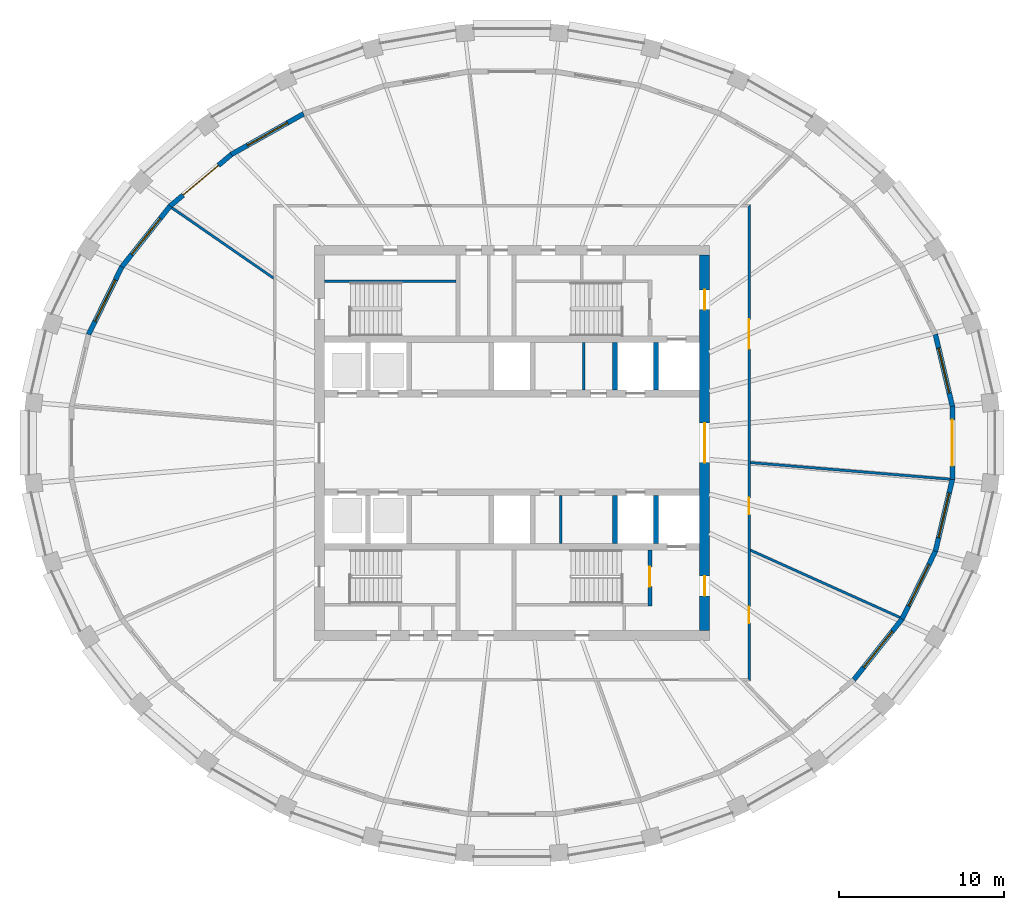
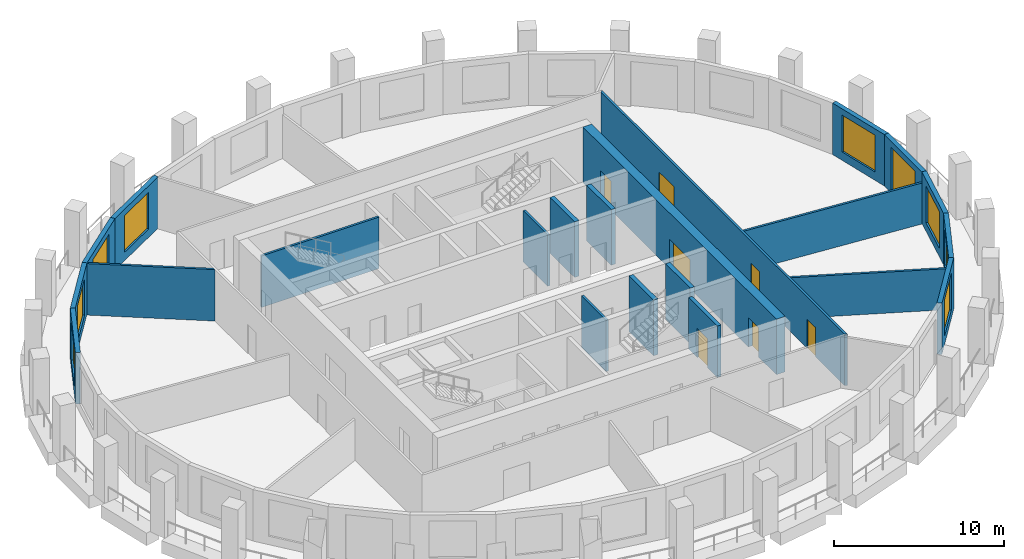
# One storey, part 5 of 10: 22 walls, 9 doors, 7 windows, 16 openings.
"""IFC4 building model written with IfcOpenShell, lengths in metres."""

from ifc_helpers import new_model, si_unit, direction, frame, frame_2d, origin, place, context, subcontext, project, spatial, polyline, rectangle, outline, extrude, material, layer, layer_set, type_object, element, fill, save


model = new_model("IFC4")

# Units and contexts
model_context = context("Model", 3, precision=1e-05, world=origin(), true_north=direction((0.0, 1.0)))
body_context = subcontext(model_context, "Body", "Model", "MODEL_VIEW")
ifc_project = project(units=[si_unit("LENGTHUNIT", "METRE"), si_unit("AREAUNIT", "SQUARE_METRE"), si_unit("VOLUMEUNIT", "CUBIC_METRE"), si_unit("PLANEANGLEUNIT", "RADIAN"), si_unit("MASSUNIT", "GRAM", prefix="KILO")], contexts=[model_context])

# Site, building, storey
site_placement = place(None, origin())
site = spatial("IfcSite", under=ifc_project, at=site_placement, CompositionType="ELEMENT")
building_placement = place(site_placement, origin())
building = spatial("IfcBuilding", under=site, at=building_placement, Name="Halqa Exchange Tower", CompositionType="ELEMENT")
storey_placement = place(building_placement, frame((0.0, 0.0, 288.300048828125)))
storey = spatial("IfcBuildingStorey", under=building, at=storey_placement, Name="L67", CompositionType="ELEMENT", Elevation=288.300048828125)

# Wall
ifc_material_1 = material(Name="Fire-rated gypsum board")
ifc_layer_1 = layer(ifc_material_1, 0.14990234375)
ifc_layer_set_1 = layer_set([ifc_layer_1], Name="Fire-rated gypsum board")
wall_type_1 = type_object("IfcWallType", Name="Fire partition EI 60 150", PredefinedType="PARTITIONING", material=ifc_layer_set_1)
wall_1_placement = place(storey_placement, frame((-14.4326171875, 9.972412109375, 0.0), z_axis=(0.0, 0.0, 1.0), x_axis=(-0.822596869136, 0.568625000231, 0.0)))
element("IfcWall", 1, at=wall_1_placement, inside=storey, type_object=wall_type_1, Name="L67-PWL-005", PredefinedType="PARTITIONING", context=body_context, shape_type="SweptSolid", body=[
    extrude(outline(polyline([(0.103271484375, -0.074951171875), (1.96533203125, -0.074951171875), (3.827392578125, -0.074951171875), (5.689208984375, -0.074951171875), (7.55126953125, -0.074951171875), (7.5712890625, -0.001708984375), (7.575927734375, 0.0693359375), (7.575927734375, 0.074951171875), (5.681884765625, 0.074951171875), (3.7880859375, 0.074951171875), (1.89404296875, 0.074951171875), (0.0, 0.074951171875), (0.0, 0.074462890625), (0.103271484375, -0.074951171875)])), origin(), (0.0, 0.0, 1.0), 3.699951171875),
])

# Wall, openings, doors
wall_2_placement = place(storey_placement, frame((14.39990234375, -14.47509765625, 0.0), z_axis=(0.0, 0.0, 1.0), x_axis=(0.0, 1.0, 0.0)))
wall_2 = element("IfcWall", 2, at=wall_2_placement, inside=storey, type_object=wall_type_1, Name="L67-PWL-012", PredefinedType="PARTITIONING", context=body_context, shape_type="SweptSolid", body=[
    extrude(outline(polyline([(0.000244140625, -0.074951171875), (1.93017578125, -0.074951171875), (3.860107421875, -0.074951171875), (5.790283203125, -0.074951171875), (7.72021484375, -0.074951171875), (9.650146484375, -0.074951171875), (11.580078125, -0.074951171875), (13.510009765625, -0.074951171875), (15.440185546875, -0.074951171875), (17.3701171875, -0.074951171875), (19.300048828125, -0.074951171875), (21.22998046875, -0.074951171875), (23.159912109375, -0.074951171875), (25.090087890625, -0.074951171875), (27.02001953125, -0.074951171875), (28.949951171875, -0.074951171875), (28.800048828125, 0.074951171875), (26.89013671875, 0.074951171875), (24.97998046875, 0.074951171875), (23.070068359375, 0.074951171875), (21.16015625, 0.074951171875), (19.25, 0.074951171875), (17.340087890625, 0.074951171875), (15.43017578125, 0.074951171875), (13.52001953125, 0.074951171875), (11.610107421875, 0.074951171875), (9.7001953125, 0.074951171875), (7.7900390625, 0.074951171875), (5.880126953125, 0.074951171875), (3.97021484375, 0.074951171875), (2.06005859375, 0.074951171875), (0.150146484375, 0.074951171875), (0.000244140625, -0.074951171875)])), origin(), (0.0, 0.0, 1.0), 3.699951171875),
])
opening_1_placement = place(wall_2_placement, frame((3.534912109375, 0.0, 0.0)))
opening_1 = element("IfcOpeningElement", 3, at=opening_1_placement, cuts=wall_2, Name="Opening 20-01", PredefinedType="OPENING", context=body_context, shape_type="SweptSolid", body=[
    extrude(rectangle(XDim=1.0, YDim=2.10009765625, at=frame_2d((0.5, 1.050048828125))), frame((0.0, 0.0869140625, 0.0), z_axis=(0.0, -1.0, 0.0), x_axis=(1.0, 0.0, 0.0)), (0.0, 0.0, 1.0), 0.173828125),
])
opening_2_placement = place(wall_2_placement, frame((10.139892578125, 0.0, 0.0)))
opening_2 = element("IfcOpeningElement", 4, at=opening_2_placement, cuts=wall_2, Name="Opening 20-02", PredefinedType="OPENING", context=body_context, shape_type="SweptSolid", body=[
    extrude(rectangle(XDim=1.0, YDim=2.10009765625, at=frame_2d((0.5, 1.050048828125))), frame((0.0, 0.0869140625, 0.0), z_axis=(0.0, -1.0, 0.0), x_axis=(1.0, 0.0, 0.0)), (0.0, 0.0, 1.0), 0.173828125),
])
opening_3_placement = place(wall_2_placement, frame((20.179931640625, 0.0, 0.0)))
opening_3 = element("IfcOpeningElement", 5, at=opening_3_placement, cuts=wall_2, Name="Opening 20-03", PredefinedType="OPENING", context=body_context, shape_type="SweptSolid", body=[
    extrude(rectangle(XDim=1.800048828125, YDim=2.10009765625, at=frame_2d((0.89990234375, 1.050048828125))), frame((0.0, 0.0869140625, 0.0), z_axis=(0.0, -1.0, 0.0), x_axis=(1.0, 0.0, 0.0)), (0.0, 0.0, 1.0), 0.173828125),
])
ifc_material_2 = material(Name="Steel fire door leaf", Category="steel")
door_type_1 = type_object("IfcDoorType", Name="Fire door FD30S 1000 x 2100", OperationType="SINGLE_SWING_LEFT", PredefinedType="DOOR", material=ifc_material_2)
door_1_placement = place(opening_1_placement, frame((1.0, 0.0, 0.0), z_axis=(0.0, 0.0, 1.0), x_axis=(-1.0, 0.0, 0.0)))
door_1 = element("IfcDoor", 6, at=door_1_placement, inside=storey, type_object=door_type_1, Name="L67-IDR-001", OperationType="SINGLE_SWING_RIGHT", OverallHeight=2.10009765625, OverallWidth=1.0, PredefinedType="DOOR", context=body_context, shape_type="SweptSolid", body=[
    extrude(rectangle(XDim=1.0, YDim=2.10009765625, at=frame_2d((0.5, 1.050048828125))), frame((0.0, 0.02490234375, 0.0), z_axis=(0.0, -1.0, 0.0), x_axis=(1.0, 0.0, 0.0)), (0.0, 0.0, 1.0), 0.050048828125),
])
fill(opening_1, door_1)
door_2_placement = place(opening_2_placement, frame((1.0, 0.0, 0.0), z_axis=(0.0, 0.0, 1.0), x_axis=(-1.0, 0.0, 0.0)))
door_2 = element("IfcDoor", 7, at=door_2_placement, inside=storey, type_object=door_type_1, Name="L67-IDR-002", OperationType="SINGLE_SWING_LEFT", OverallHeight=2.10009765625, OverallWidth=1.0, PredefinedType="DOOR", context=body_context, shape_type="SweptSolid", body=[
    extrude(rectangle(XDim=1.0, YDim=2.10009765625, at=frame_2d((0.5, 1.050048828125))), frame((0.0, 0.02490234375, 0.0), z_axis=(0.0, -1.0, 0.0), x_axis=(1.0, 0.0, 0.0)), (0.0, 0.0, 1.0), 0.050048828125),
])
fill(opening_2, door_2)
door_type_2 = type_object("IfcDoorType", Name="Fire door FD30S double 1800 x 2100", OperationType="DOUBLE_DOOR_SINGLE_SWING", PredefinedType="DOOR", material=ifc_material_2)
door_3_placement = place(opening_3_placement, frame((1.800048828125, 0.0, 0.0), z_axis=(0.0, 0.0, 1.0), x_axis=(-1.0, 0.0, 0.0)))
door_3 = element("IfcDoor", 8, at=door_3_placement, inside=storey, type_object=door_type_2, Name="L67-IDR-003", OperationType="DOUBLE_DOOR_SINGLE_SWING", OverallHeight=2.10009765625, OverallWidth=1.800048828125, PredefinedType="DOOR", context=body_context, shape_type="SweptSolid", body=[
    extrude(rectangle(XDim=1.800048828125, YDim=2.10009765625, at=frame_2d((0.89990234375, 1.050048828125))), frame((0.0, 0.02490234375, 0.0), z_axis=(0.0, -1.0, 0.0), x_axis=(1.0, 0.0, 0.0)), (0.0, 0.0, 1.0), 0.050048828125),
])
fill(opening_3, door_3)

# Walls
wall_3_placement = place(storey_placement, frame((14.444580078125, -6.5, 0.0), z_axis=(0.0, 0.0, 1.0), x_axis=(0.912008635086, -0.410171000351, 0.0)))
element("IfcWall", 9, at=wall_3_placement, inside=storey, type_object=wall_type_1, Name="L67-PWL-013", PredefinedType="PARTITIONING", context=body_context, shape_type="SweptSolid", body=[
    extrude(outline(polyline([(0.067138671875, -0.074951171875), (2.052001953125, -0.074951171875), (4.03662109375, -0.074951171875), (6.021484375, -0.074951171875), (8.00634765625, -0.074951171875), (9.9912109375, -0.074951171875), (10.0087890625, -0.00537109375), (10.011474609375, 0.07080078125), (10.011474609375, 0.074951171875), (8.3427734375, 0.074951171875), (6.67431640625, 0.074951171875), (5.005859375, 0.074951171875), (3.337158203125, 0.074951171875), (1.66845703125, 0.074951171875), (0.0, 0.074951171875), (0.0, 0.07421875), (0.067138671875, -0.074951171875)])), origin(), (0.0, 0.0, 1.0), 2.947021484375),
])
wall_4_placement = place(storey_placement, frame((14.46923828125, -1.19580078125, 0.0), z_axis=(0.0, 0.0, 1.0), x_axis=(0.996556684965, -0.08291425481, 0.0)))
element("IfcWall", 10, at=wall_4_placement, inside=storey, type_object=wall_type_1, Name="L67-PWL-014", PredefinedType="PARTITIONING", context=body_context, shape_type="SweptSolid", body=[
    extrude(outline(polyline([(0.011962890625, -0.074951171875), (1.747314453125, -0.074951171875), (3.482666015625, -0.074951171875), (5.218017578125, -0.074951171875), (6.953369140625, -0.074951171875), (8.688720703125, -0.074951171875), (10.424072265625, -0.074951171875), (12.159423828125, -0.074951171875), (12.163818359375, -0.045166015625), (12.163818359375, 0.074951171875), (10.426025390625, 0.074951171875), (8.6884765625, 0.074951171875), (6.95068359375, 0.074951171875), (5.213134765625, 0.074951171875), (3.475341796875, 0.074951171875), (1.73779296875, 0.074951171875), (0.0, 0.074951171875), (0.0, 0.069580078125), (0.011962890625, -0.074951171875)])), origin(), (0.0, 0.0, 1.0), 2.947021484375),
])
ifc_material_3 = material(Name="Gypsum board")
ifc_layer_2 = layer(ifc_material_3, 0.14990234375)
ifc_layer_set_2 = layer_set([ifc_layer_2], Name="Gypsum board")
wall_type_2 = type_object("IfcWallType", Name="Penthouse riser wall 150 gypsum", PredefinedType="PARTITIONING", material=ifc_layer_set_2)
for number, where, z_axis, x_axis, name in (
    (11, (4.35009765625, 3.199951171875, 0.0), (0.0, 0.0, 1.0), (0.0, 1.0, 0.0), "Freed bay partition NE4.350"),
    (12, (2.949951171875, -6.10009765625, 0.0), (0.0, 0.0, 1.0), (0.0, 1.0, 0.0), "Freed bay partition SE2.950"),
):
    element("IfcWall", number, at=place(storey_placement, frame(where, z_axis=z_axis, x_axis=x_axis)), inside=storey, type_object=wall_type_2, Name=name, PredefinedType="PARTITIONING", context=body_context, shape_type="SweptSolid", body=[
        extrude(rectangle(XDim=2.900146484375, YDim=0.14990234375, at=frame_2d((1.4501953125, 0.0))), origin(), (0.0, 0.0, 1.0), 3.699951171875),
    ])
ifc_material_4 = material(Name="Concrete C60/75", Category="concrete")
ifc_layer_3 = layer(ifc_material_4, 0.300048828125)
ifc_layer_set_3 = layer_set([ifc_layer_3], Name="Concrete C60/75")
wall_type_3 = type_object("IfcWallType", Name="RC core wall 300", PredefinedType="SHEAR", material=ifc_layer_set_3)
for number, where, z_axis, x_axis, name in (
    (13, (6.25, 3.199951171875, 0.0), (0.0, 0.0, 1.0), (0.0, 1.0, 0.0), "Shaft divider N7"),
    (14, (8.75, 3.199951171875, 0.0), (0.0, 0.0, 1.0), (0.0, 1.0, 0.0), "Shaft divider N8"),
    (15, (6.25, -6.10009765625, 0.0), (0.0, 0.0, 1.0), (0.0, 1.0, 0.0), "Shaft divider S7"),
    (16, (8.75, -6.10009765625, 0.0), (0.0, 0.0, 1.0), (0.0, 1.0, 0.0), "Shaft divider S8"),
):
    element("IfcWall", number, at=place(storey_placement, frame(where, z_axis=z_axis, x_axis=x_axis)), inside=storey, type_object=wall_type_3, Name=name, PredefinedType="SHEAR", context=body_context, shape_type="SweptSolid", body=[
        extrude(rectangle(XDim=2.900146484375, YDim=0.300048828125, at=frame_2d((1.4501953125, 0.0))), origin(), (0.0, 0.0, 1.0), 4.0),
    ])

# Wall, openings, doors
ifc_layer_4 = layer(ifc_material_4, 0.60009765625)
ifc_layer_set_4 = layer_set([ifc_layer_4], Name="Concrete C60/75")
wall_type_4 = type_object("IfcWallType", Name="RC core wall 600 C60/75", PredefinedType="SHEAR", material=ifc_layer_set_4)
wall_5_placement = place(storey_placement, frame((11.699951171875, -11.39990234375, 0.0), z_axis=(0.0, 0.0, 1.0), x_axis=(0.0, 1.0, 0.0)))
wall_5 = element("IfcWall", 17, at=wall_5_placement, inside=storey, type_object=wall_type_4, Name="Core wall east", PredefinedType="SHEAR", context=body_context, shape_type="SweptSolid", body=[
    extrude(rectangle(XDim=22.7998046875, YDim=0.60009765625, at=frame_2d((11.39990234375, 0.0))), origin(), (0.0, 0.0, 1.0), 4.0),
])
opening_4_placement = place(wall_5_placement, frame((10.199951171875, 0.0, 0.0)))
opening_4 = element("IfcOpeningElement", 18, at=opening_4_placement, cuts=wall_5, Name="Opening T20-C10", PredefinedType="OPENING", context=body_context, shape_type="SweptSolid", body=[
    extrude(rectangle(XDim=2.39990234375, YDim=2.10009765625, at=frame_2d((1.199951171875, 1.050048828125))), frame((0.0, 0.31201171875, 0.0), z_axis=(0.0, -1.0, 0.0), x_axis=(1.0, 0.0, 0.0)), (0.0, 0.0, 1.0), 0.6240234375),
])
opening_5_placement = place(wall_5_placement, frame((19.5, 0.0, 0.0)))
opening_5 = element("IfcOpeningElement", 19, at=opening_5_placement, cuts=wall_5, Name="Opening T20-C15", PredefinedType="OPENING", context=body_context, shape_type="SweptSolid", body=[
    extrude(rectangle(XDim=1.199951171875, YDim=2.10009765625, at=frame_2d((0.60009765625, 1.050048828125))), frame((0.0, 0.31201171875, 0.0), z_axis=(0.0, -1.0, 0.0), x_axis=(1.0, 0.0, 0.0)), (0.0, 0.0, 1.0), 0.6240234375),
])
opening_6_placement = place(wall_5_placement, frame((2.10009765625, 0.0, 0.0)))
opening_6 = element("IfcOpeningElement", 20, at=opening_6_placement, cuts=wall_5, Name="Opening T20-C16", PredefinedType="OPENING", context=body_context, shape_type="SweptSolid", body=[
    extrude(rectangle(XDim=1.199951171875, YDim=2.10009765625, at=frame_2d((0.60009765625, 1.050048828125))), frame((0.0, 0.31201171875, 0.0), z_axis=(0.0, -1.0, 0.0), x_axis=(1.0, 0.0, 0.0)), (0.0, 0.0, 1.0), 0.6240234375),
])
door_type_3 = type_object("IfcDoorType", Name="Firefighting lobby door FD90 1200 x 2100", OperationType="SINGLE_SWING_RIGHT", PredefinedType="DOOR", material=ifc_material_2)
door_4_placement = place(opening_5_placement, origin())
door_4 = element("IfcDoor", 21, at=door_4_placement, inside=storey, type_object=door_type_3, Name="Firefighting lobby door", OperationType="SINGLE_SWING_RIGHT", OverallHeight=2.10009765625, OverallWidth=1.199951171875, PredefinedType="DOOR", context=body_context, shape_type="SweptSolid", body=[
    extrude(rectangle(XDim=1.199951171875, YDim=2.10009765625, at=frame_2d((0.60009765625, 1.050048828125))), frame((0.0, 0.02490234375, 0.0), z_axis=(0.0, -1.0, 0.0), x_axis=(1.0, 0.0, 0.0)), (0.0, 0.0, 1.0), 0.050048828125),
])
fill(opening_5, door_4)
door_5_placement = place(opening_6_placement, origin())
door_5 = element("IfcDoor", 22, at=door_5_placement, inside=storey, type_object=door_type_3, Name="Firefighting lobby door", OperationType="SINGLE_SWING_LEFT", OverallHeight=2.10009765625, OverallWidth=1.199951171875, PredefinedType="DOOR", context=body_context, shape_type="SweptSolid", body=[
    extrude(rectangle(XDim=1.199951171875, YDim=2.10009765625, at=frame_2d((0.60009765625, 1.050048828125))), frame((0.0, 0.02490234375, 0.0), z_axis=(0.0, -1.0, 0.0), x_axis=(1.0, 0.0, 0.0)), (0.0, 0.0, 1.0), 0.050048828125),
])
fill(opening_6, door_5)
door_type_4 = type_object("IfcDoorType", Name="Lobby double door FD60 2400 x 2100", OperationType="DOUBLE_DOOR_SINGLE_SWING", PredefinedType="DOOR", material=ifc_material_2)
door_6_placement = place(opening_4_placement, origin())
door_6 = element("IfcDoor", 23, at=door_6_placement, inside=storey, type_object=door_type_4, Name="Lift lobby double door", OperationType="DOUBLE_DOOR_SINGLE_SWING", OverallHeight=2.10009765625, OverallWidth=2.39990234375, PredefinedType="DOOR", context=body_context, shape_type="SweptSolid", body=[
    extrude(rectangle(XDim=2.39990234375, YDim=2.10009765625, at=frame_2d((1.199951171875, 1.050048828125))), frame((0.0, 0.02490234375, 0.0), z_axis=(0.0, -1.0, 0.0), x_axis=(1.0, 0.0, 0.0)), (0.0, 0.0, 1.0), 0.050048828125),
])
fill(opening_4, door_6)

# Wall
ifc_material_5 = material(Name="Concrete C30/37", Category="concrete")
ifc_layer_5 = layer(ifc_material_5, 0.14990234375)
ifc_layer_set_5 = layer_set([ifc_layer_5], Name="Concrete C30/37")
wall_type_5 = type_object("IfcWallType", Name="RC stair wall 150 C30/37", PredefinedType="SHEAR", material=ifc_layer_set_5)
wall_6_placement = place(storey_placement, frame((-11.39990234375, 9.824951171875, 0.0), z_axis=(0.0, 0.0, 1.0), x_axis=(1.0, 0.0, 0.0)))
element("IfcWall", 24, at=wall_6_placement, inside=storey, type_object=wall_type_5, Name="Stair ST1 north wall N", PredefinedType="SHEAR", context=body_context, shape_type="SweptSolid", body=[
    extrude(rectangle(XDim=8.0, YDim=0.14990234375, at=frame_2d((4.0, 0.0))), origin(), (0.0, 0.0, 1.0), 3.699951171875),
])

# Wall, opening, door
ifc_layer_6 = layer(ifc_material_5, 0.25)
ifc_layer_set_6 = layer_set([ifc_layer_6], Name="Concrete C30/37")
wall_type_6 = type_object("IfcWallType", Name="RC stair wall 250 C30/37", PredefinedType="SHEAR", material=ifc_layer_set_6)
wall_7_placement = place(storey_placement, frame((8.375, -9.89990234375, 0.0), z_axis=(0.0, 0.0, 1.0), x_axis=(0.0, 1.0, 0.0)))
wall_7 = element("IfcWall", 25, at=wall_7_placement, inside=storey, type_object=wall_type_6, Name="Stair ST2 east wall S", PredefinedType="SHEAR", context=body_context, shape_type="SweptSolid", body=[
    extrude(rectangle(XDim=3.39990234375, YDim=0.25, at=frame_2d((1.699951171875, 0.0))), origin(), (0.0, 0.0, 1.0), 3.699951171875),
])
opening_7_placement = place(wall_7_placement, frame((1.175048828125, 0.0, 0.0)))
opening_7 = element("IfcOpeningElement", 26, at=opening_7_placement, cuts=wall_7, Name="Opening T20-C14", PredefinedType="OPENING", context=body_context, shape_type="SweptSolid", body=[
    extrude(rectangle(XDim=1.199951171875, YDim=2.10009765625, at=frame_2d((0.60009765625, 1.050048828125))), frame((0.0, 0.136962890625, 0.0), z_axis=(0.0, -1.0, 0.0), x_axis=(1.0, 0.0, 0.0)), (0.0, 0.0, 1.0), 0.27392578125),
])
door_type_5 = type_object("IfcDoorType", Name="Stair door FD90 1200 x 2100", OperationType="SINGLE_SWING_LEFT", PredefinedType="DOOR", material=ifc_material_2)
door_7_placement = place(opening_7_placement, origin())
door_7 = element("IfcDoor", 27, at=door_7_placement, inside=storey, type_object=door_type_5, Name="Stair door ST4", OperationType="SINGLE_SWING_LEFT", OverallHeight=2.10009765625, OverallWidth=1.199951171875, PredefinedType="DOOR", context=body_context, shape_type="SweptSolid", body=[
    extrude(rectangle(XDim=1.199951171875, YDim=2.10009765625, at=frame_2d((0.60009765625, 1.050048828125))), frame((0.0, 0.02490234375, 0.0), z_axis=(0.0, -1.0, 0.0), x_axis=(1.0, 0.0, 0.0)), (0.0, 0.0, 1.0), 0.050048828125),
])
fill(opening_7, door_7)

# Wall, opening, window
ifc_material_6 = material(Name="Limestone cladding", Category="masonry")
ifc_layer_7 = layer(ifc_material_6, 0.0400390625)
ifc_material_7 = material(Name="Ventilated cavity")
ifc_layer_8 = layer(ifc_material_7, 0.030029296875, ventilated=True)
ifc_material_8 = material(Name="Mineral wool insulation")
ifc_layer_9 = layer(ifc_material_8, 0.10009765625)
ifc_layer_10 = layer(ifc_material_5, 0.10009765625)
ifc_material_9 = material(Name="Internal plaster")
ifc_layer_11 = layer(ifc_material_9, 0.030029296875)
ifc_layer_set_7 = layer_set([ifc_layer_7, ifc_layer_8, ifc_layer_9, ifc_layer_10, ifc_layer_11], Name="Stone-faced insulated wall 300")
wall_type_7 = type_object("IfcWallType", Name="Stone-faced insulated wall 300", PredefinedType="STANDARD", material=ifc_layer_set_7)
wall_8_placement = place(storey_placement, frame((26.74755859375, 2.2236328125, 0.0), z_axis=(0.0, 0.0, 1.0), x_axis=(-0.229862207503, 0.973223183839, 0.0)))
wall_8 = element("IfcWall", 28, at=wall_8_placement, inside=storey, type_object=wall_type_7, Name="Glass-line wall 1", PredefinedType="STANDARD", context=body_context, shape_type="SweptSolid", body=[
    extrude(outline(polyline([(-0.017578125, -0.14990234375), (4.497802734375, -0.14990234375), (4.464111328125, 0.14990234375), (0.017578125, 0.14990234375), (-0.017578125, -0.14990234375)])), origin(), (0.0, 0.0, 1.0), 3.699951171875),
])
opening_8_placement = place(wall_8_placement, frame((0.840576171875, 0.0, 0.60009765625)))
opening_8 = element("IfcOpeningElement", 29, at=opening_8_placement, cuts=wall_8, Name="Opening W-F4-01", PredefinedType="OPENING", context=body_context, shape_type="SweptSolid", body=[
    extrude(rectangle(XDim=2.800048828125, YDim=2.64990234375, at=frame_2d((1.39990234375, 1.324951171875))), frame((0.0, 0.162109375, 0.0), z_axis=(0.0, -1.0, 0.0), x_axis=(1.0, 0.0, 0.0)), (0.0, 0.0, 1.0), 0.323974609375),
])
ifc_material_10 = material(Name="Clear low-emissivity glass in aluminium frame", Category="aluminium")
window_type = type_object("IfcWindowType", Name="Fixed clear glazed window 2800 x 2650", PartitioningType="DOUBLE_PANEL_VERTICAL", PredefinedType="WINDOW", material=ifc_material_10)
window_1_placement = place(opening_8_placement, origin())
window_1 = element("IfcWindow", 30, at=window_1_placement, inside=storey, type_object=window_type, Name="Window 4", OverallHeight=2.64990234375, OverallWidth=2.800048828125, PartitioningType="DOUBLE_PANEL_VERTICAL", PredefinedType="WINDOW", context=body_context, shape_type="SweptSolid", body=[
    extrude(rectangle(XDim=2.800048828125, YDim=2.64990234375, at=frame_2d((1.39990234375, 1.324951171875))), frame((0.0, 0.030029296875, 0.0), z_axis=(0.0, -1.0, 0.0), x_axis=(1.0, 0.0, 0.0)), (0.0, 0.0, 1.0), 0.06005859375),
])
fill(opening_8, window_1)

wall_9_placement = place(storey_placement, frame((-12.66064453125, 19.98779296875, 0.0), z_axis=(0.0, 0.0, 1.0), x_axis=(-0.871488606878, -0.490415750239, 0.0)))
wall_9 = element("IfcWall", 31, at=wall_9_placement, inside=storey, type_object=wall_type_7, Name="Glass-line wall 11", PredefinedType="STANDARD", context=body_context, shape_type="SweptSolid", body=[
    extrude(outline(polyline([(-0.01318359375, -0.14990234375), (5.040283203125, -0.14990234375), (5.011962890625, 0.14990234375), (0.01318359375, 0.14990234375), (-0.01318359375, -0.14990234375)])), origin(), (0.0, 0.0, 1.0), 3.699951171875),
])
opening_9_placement = place(wall_9_placement, frame((1.113037109375, 0.0, 0.60009765625)))
opening_9 = element("IfcOpeningElement", 32, at=opening_9_placement, cuts=wall_9, Name="Opening W-F4-11", PredefinedType="OPENING", context=body_context, shape_type="SweptSolid", body=[
    extrude(rectangle(XDim=2.800048828125, YDim=2.64990234375, at=frame_2d((1.39990234375, 1.324951171875))), frame((0.0, 0.162109375, 0.0), z_axis=(0.0, -1.0, 0.0), x_axis=(1.0, 0.0, 0.0)), (0.0, 0.0, 1.0), 0.323974609375),
])
window_2_placement = place(opening_9_placement, origin())
window_2 = element("IfcWindow", 33, at=window_2_placement, inside=storey, type_object=window_type, Name="Window 4", OverallHeight=2.64990234375, OverallWidth=2.800048828125, PartitioningType="DOUBLE_PANEL_VERTICAL", PredefinedType="WINDOW", context=body_context, shape_type="SweptSolid", body=[
    extrude(rectangle(XDim=2.800048828125, YDim=2.64990234375, at=frame_2d((1.39990234375, 1.324951171875))), frame((0.0, 0.030029296875, 0.0), z_axis=(0.0, -1.0, 0.0), x_axis=(1.0, 0.0, 0.0)), (0.0, 0.0, 1.0), 0.06005859375),
])
fill(opening_9, window_2)

# Wall, opening, door
wall_10_placement = place(storey_placement, frame((-17.040771484375, 17.52294921875, 0.0), z_axis=(0.0, 0.0, 1.0), x_axis=(-0.764876116592, -0.644177402792, 0.0)))
wall_10 = element("IfcWall", 34, at=wall_10_placement, inside=storey, type_object=wall_type_7, Name="Glass-line wall 12", PredefinedType="STANDARD", context=body_context, shape_type="SweptSolid", body=[
    extrude(outline(polyline([(-0.01416015625, -0.14990234375), (4.887939453125, -0.14990234375), (4.857666015625, 0.14990234375), (0.01416015625, 0.14990234375), (-0.01416015625, -0.14990234375)])), origin(), (0.0, 0.0, 1.0), 3.699951171875),
])
opening_10_placement = place(wall_10_placement, frame((1.036376953125, 0.0, 0.0)))
opening_10 = element("IfcOpeningElement", 35, at=opening_10_placement, cuts=wall_10, Name="Opening LG-F4-03", PredefinedType="OPENING", context=body_context, shape_type="SweptSolid", body=[
    extrude(rectangle(XDim=2.800048828125, YDim=3.25, at=frame_2d((1.39990234375, 1.625))), frame((0.0, 0.162109375, 0.0), z_axis=(0.0, -1.0, 0.0), x_axis=(1.0, 0.0, 0.0)), (0.0, 0.0, 1.0), 0.323974609375),
])
door_type_6 = type_object("IfcDoorType", Name="Glazed sliding loggia door 2800 x 3250", OperationType="DOUBLE_DOOR_SLIDING", PredefinedType="DOOR", material=ifc_material_10)
door_8_placement = place(opening_10_placement, origin())
door_8 = element("IfcDoor", 36, at=door_8_placement, inside=storey, type_object=door_type_6, Name="Loggia door 3", OperationType="DOUBLE_DOOR_SLIDING", OverallHeight=3.25, OverallWidth=2.800048828125, PredefinedType="DOOR", context=body_context, shape_type="SweptSolid", body=[
    extrude(rectangle(XDim=2.800048828125, YDim=3.25, at=frame_2d((1.39990234375, 1.625))), frame((0.0, 0.02490234375, 0.0), z_axis=(0.0, -1.0, 0.0), x_axis=(1.0, 0.0, 0.0)), (0.0, 0.0, 1.0), 0.050048828125),
])
fill(opening_10, door_8)

# Wall, opening, window
wall_11_placement = place(storey_placement, frame((-20.767822265625, 14.384033203125, 0.0), z_axis=(0.0, 0.0, 1.0), x_axis=(-0.621544881236, -0.783378555112, 0.0)))
wall_11 = element("IfcWall", 37, at=wall_11_placement, inside=storey, type_object=wall_type_7, Name="Glass-line wall 13", PredefinedType="STANDARD", context=body_context, shape_type="SweptSolid", body=[
    extrude(outline(polyline([(-0.01513671875, -0.14990234375), (4.73046875, -0.14990234375), (4.6982421875, 0.14990234375), (0.01513671875, 0.14990234375), (-0.01513671875, -0.14990234375)])), origin(), (0.0, 0.0, 1.0), 3.699951171875),
])
opening_11_placement = place(wall_11_placement, frame((0.957275390625, 0.0, 0.60009765625)))
opening_11 = element("IfcOpeningElement", 38, at=opening_11_placement, cuts=wall_11, Name="Opening W-F4-13", PredefinedType="OPENING", context=body_context, shape_type="SweptSolid", body=[
    extrude(rectangle(XDim=2.800048828125, YDim=2.64990234375, at=frame_2d((1.39990234375, 1.324951171875))), frame((0.0, 0.162109375, 0.0), z_axis=(0.0, -1.0, 0.0), x_axis=(1.0, 0.0, 0.0)), (0.0, 0.0, 1.0), 0.323974609375),
])
window_3_placement = place(opening_11_placement, origin())
window_3 = element("IfcWindow", 39, at=window_3_placement, inside=storey, type_object=window_type, Name="Window 4", OverallHeight=2.64990234375, OverallWidth=2.800048828125, PartitioningType="DOUBLE_PANEL_VERTICAL", PredefinedType="WINDOW", context=body_context, shape_type="SweptSolid", body=[
    extrude(rectangle(XDim=2.800048828125, YDim=2.64990234375, at=frame_2d((1.39990234375, 1.324951171875))), frame((0.0, 0.030029296875, 0.0), z_axis=(0.0, -1.0, 0.0), x_axis=(1.0, 0.0, 0.0)), (0.0, 0.0, 1.0), 0.06005859375),
])
fill(opening_11, window_3)

wall_12_placement = place(storey_placement, frame((-23.697998046875, 10.69091796875, 0.0), z_axis=(0.0, 0.0, 1.0), x_axis=(-0.441335149795, -0.897342345794, 0.0)))
wall_12 = element("IfcWall", 40, at=wall_12_placement, inside=storey, type_object=wall_type_7, Name="Glass-line wall 14", PredefinedType="STANDARD", context=body_context, shape_type="SweptSolid", body=[
    extrude(outline(polyline([(-0.01611328125, -0.14990234375), (4.5927734375, -0.14990234375), (4.55908203125, 0.14990234375), (0.01611328125, 0.14990234375), (-0.01611328125, -0.14990234375)])), origin(), (0.0, 0.0, 1.0), 3.699951171875),
])
opening_12_placement = place(wall_12_placement, frame((0.887939453125, 0.0, 0.60009765625)))
opening_12 = element("IfcOpeningElement", 41, at=opening_12_placement, cuts=wall_12, Name="Opening W-F4-14", PredefinedType="OPENING", context=body_context, shape_type="SweptSolid", body=[
    extrude(rectangle(XDim=2.800048828125, YDim=2.64990234375, at=frame_2d((1.39990234375, 1.324951171875))), frame((0.0, 0.162109375, 0.0), z_axis=(0.0, -1.0, 0.0), x_axis=(1.0, 0.0, 0.0)), (0.0, 0.0, 1.0), 0.323974609375),
])
window_4_placement = place(opening_12_placement, origin())
window_4 = element("IfcWindow", 42, at=window_4_placement, inside=storey, type_object=window_type, Name="Window 4", OverallHeight=2.64990234375, OverallWidth=2.800048828125, PartitioningType="DOUBLE_PANEL_VERTICAL", PredefinedType="WINDOW", context=body_context, shape_type="SweptSolid", body=[
    extrude(rectangle(XDim=2.800048828125, YDim=2.64990234375, at=frame_2d((1.39990234375, 1.324951171875))), frame((0.0, 0.030029296875, 0.0), z_axis=(0.0, -1.0, 0.0), x_axis=(1.0, 0.0, 0.0)), (0.0, 0.0, 1.0), 0.06005859375),
])
fill(opening_12, window_4)

wall_13_placement = place(storey_placement, frame((20.767822265625, -14.384033203125, 0.0), z_axis=(0.0, 0.0, 1.0), x_axis=(0.621544881236, 0.783378555112, 0.0)))
wall_13 = element("IfcWall", 43, at=wall_13_placement, inside=storey, type_object=wall_type_7, Name="Glass-line wall 29", PredefinedType="STANDARD", context=body_context, shape_type="SweptSolid", body=[
    extrude(outline(polyline([(-0.01513671875, -0.14990234375), (4.73046875, -0.14990234375), (4.6982421875, 0.14990234375), (0.01513671875, 0.14990234375), (-0.01513671875, -0.14990234375)])), origin(), (0.0, 0.0, 1.0), 3.699951171875),
])
opening_13_placement = place(wall_13_placement, frame((0.957275390625, 0.0, 0.60009765625)))
opening_13 = element("IfcOpeningElement", 44, at=opening_13_placement, cuts=wall_13, Name="Opening W-F4-29", PredefinedType="OPENING", context=body_context, shape_type="SweptSolid", body=[
    extrude(rectangle(XDim=2.800048828125, YDim=2.64990234375, at=frame_2d((1.39990234375, 1.324951171875))), frame((0.0, 0.162109375, 0.0), z_axis=(0.0, -1.0, 0.0), x_axis=(1.0, 0.0, 0.0)), (0.0, 0.0, 1.0), 0.323974609375),
])
window_5_placement = place(opening_13_placement, origin())
window_5 = element("IfcWindow", 45, at=window_5_placement, inside=storey, type_object=window_type, Name="Window 4", OverallHeight=2.64990234375, OverallWidth=2.800048828125, PartitioningType="DOUBLE_PANEL_VERTICAL", PredefinedType="WINDOW", context=body_context, shape_type="SweptSolid", body=[
    extrude(rectangle(XDim=2.800048828125, YDim=2.64990234375, at=frame_2d((1.39990234375, 1.324951171875))), frame((0.0, 0.030029296875, 0.0), z_axis=(0.0, -1.0, 0.0), x_axis=(1.0, 0.0, 0.0)), (0.0, 0.0, 1.0), 0.06005859375),
])
fill(opening_13, window_5)

wall_14_placement = place(storey_placement, frame((23.697998046875, -10.69091796875, 0.0), z_axis=(0.0, 0.0, 1.0), x_axis=(0.441335149795, 0.897342345794, 0.0)))
wall_14 = element("IfcWall", 46, at=wall_14_placement, inside=storey, type_object=wall_type_7, Name="Glass-line wall 30", PredefinedType="STANDARD", context=body_context, shape_type="SweptSolid", body=[
    extrude(outline(polyline([(-0.01611328125, -0.14990234375), (4.5927734375, -0.14990234375), (4.55908203125, 0.14990234375), (0.01611328125, 0.14990234375), (-0.01611328125, -0.14990234375)])), origin(), (0.0, 0.0, 1.0), 3.699951171875),
])
opening_14_placement = place(wall_14_placement, frame((0.887939453125, 0.0, 0.60009765625)))
opening_14 = element("IfcOpeningElement", 47, at=opening_14_placement, cuts=wall_14, Name="Opening W-F4-30", PredefinedType="OPENING", context=body_context, shape_type="SweptSolid", body=[
    extrude(rectangle(XDim=2.800048828125, YDim=2.64990234375, at=frame_2d((1.39990234375, 1.324951171875))), frame((0.0, 0.162109375, 0.0), z_axis=(0.0, -1.0, 0.0), x_axis=(1.0, 0.0, 0.0)), (0.0, 0.0, 1.0), 0.323974609375),
])
window_6_placement = place(opening_14_placement, origin())
window_6 = element("IfcWindow", 48, at=window_6_placement, inside=storey, type_object=window_type, Name="Window 4", OverallHeight=2.64990234375, OverallWidth=2.800048828125, PartitioningType="DOUBLE_PANEL_VERTICAL", PredefinedType="WINDOW", context=body_context, shape_type="SweptSolid", body=[
    extrude(rectangle(XDim=2.800048828125, YDim=2.64990234375, at=frame_2d((1.39990234375, 1.324951171875))), frame((0.0, 0.030029296875, 0.0), z_axis=(0.0, -1.0, 0.0), x_axis=(1.0, 0.0, 0.0)), (0.0, 0.0, 1.0), 0.06005859375),
])
fill(opening_14, window_6)

wall_15_placement = place(storey_placement, frame((25.717529296875, -6.584716796875, 0.0), z_axis=(0.0, 0.0, 1.0), x_axis=(0.229862207503, 0.973223183839, 0.0)))
wall_15 = element("IfcWall", 49, at=wall_15_placement, inside=storey, type_object=wall_type_7, Name="Glass-line wall 31", PredefinedType="STANDARD", context=body_context, shape_type="SweptSolid", body=[
    extrude(outline(polyline([(-0.016845703125, -0.14990234375), (4.49853515625, -0.14990234375), (4.46337890625, 0.14990234375), (0.016845703125, 0.14990234375), (-0.016845703125, -0.14990234375)])), origin(), (0.0, 0.0, 1.0), 3.699951171875),
])
opening_15_placement = place(wall_15_placement, frame((0.840576171875, 0.0, 0.60009765625)))
opening_15 = element("IfcOpeningElement", 50, at=opening_15_placement, cuts=wall_15, Name="Opening W-F4-31", PredefinedType="OPENING", context=body_context, shape_type="SweptSolid", body=[
    extrude(rectangle(XDim=2.800048828125, YDim=2.64990234375, at=frame_2d((1.39990234375, 1.324951171875))), frame((0.0, 0.162109375, 0.0), z_axis=(0.0, -1.0, 0.0), x_axis=(1.0, 0.0, 0.0)), (0.0, 0.0, 1.0), 0.323974609375),
])
window_7_placement = place(opening_15_placement, origin())
window_7 = element("IfcWindow", 51, at=window_7_placement, inside=storey, type_object=window_type, Name="Window 4", OverallHeight=2.64990234375, OverallWidth=2.800048828125, PartitioningType="DOUBLE_PANEL_VERTICAL", PredefinedType="WINDOW", context=body_context, shape_type="SweptSolid", body=[
    extrude(rectangle(XDim=2.800048828125, YDim=2.64990234375, at=frame_2d((1.39990234375, 1.324951171875))), frame((0.0, 0.030029296875, 0.0), z_axis=(0.0, -1.0, 0.0), x_axis=(1.0, 0.0, 0.0)), (0.0, 0.0, 1.0), 0.06005859375),
])
fill(opening_15, window_7)

# Wall, opening, door
wall_16_placement = place(storey_placement, frame((26.74755859375, -2.2236328125, 0.0), z_axis=(0.0, 0.0, 1.0), x_axis=(0.0, 1.0, 0.0)))
wall_16 = element("IfcWall", 52, at=wall_16_placement, inside=storey, type_object=wall_type_7, Name="Glass-line wall 32", PredefinedType="STANDARD", context=body_context, shape_type="SweptSolid", body=[
    extrude(outline(polyline([(-0.017578125, -0.14990234375), (4.46484375, -0.14990234375), (4.4296875, 0.14990234375), (0.017578125, 0.14990234375), (-0.017578125, -0.14990234375)])), origin(), (0.0, 0.0, 1.0), 3.699951171875),
])
opening_16_placement = place(wall_16_placement, frame((0.82373046875, 0.0, 0.0)))
opening_16 = element("IfcOpeningElement", 53, at=opening_16_placement, cuts=wall_16, Name="Opening LG-F4-08", PredefinedType="OPENING", context=body_context, shape_type="SweptSolid", body=[
    extrude(rectangle(XDim=2.800048828125, YDim=3.25, at=frame_2d((1.39990234375, 1.625))), frame((0.0, 0.162109375, 0.0), z_axis=(0.0, -1.0, 0.0), x_axis=(1.0, 0.0, 0.0)), (0.0, 0.0, 1.0), 0.323974609375),
])
door_9_placement = place(opening_16_placement, origin())
door_9 = element("IfcDoor", 54, at=door_9_placement, inside=storey, type_object=door_type_6, Name="Loggia door 8", OperationType="DOUBLE_DOOR_SLIDING", OverallHeight=3.25, OverallWidth=2.800048828125, PredefinedType="DOOR", context=body_context, shape_type="SweptSolid", body=[
    extrude(rectangle(XDim=2.800048828125, YDim=3.25, at=frame_2d((1.39990234375, 1.625))), frame((0.0, 0.02490234375, 0.0), z_axis=(0.0, -1.0, 0.0), x_axis=(1.0, 0.0, 0.0)), (0.0, 0.0, 1.0), 0.050048828125),
])
fill(opening_16, door_9)

save(model, "model.ifc")
